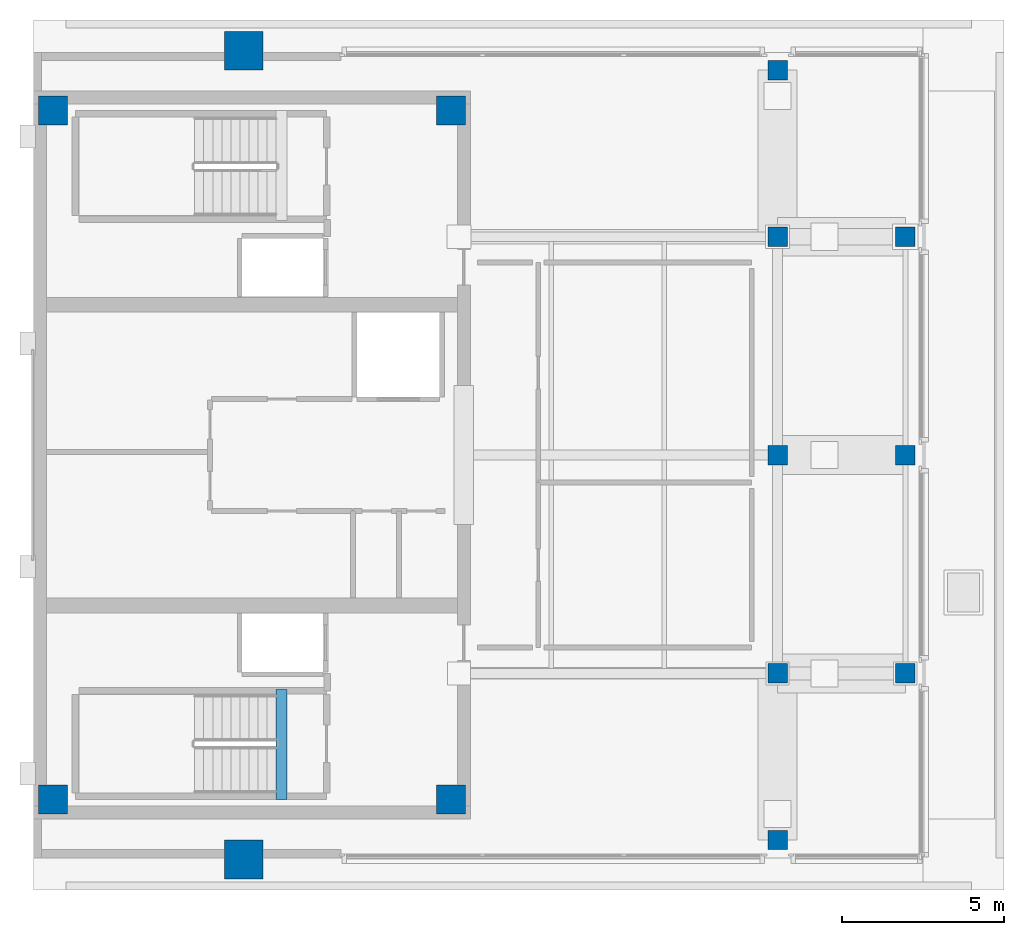
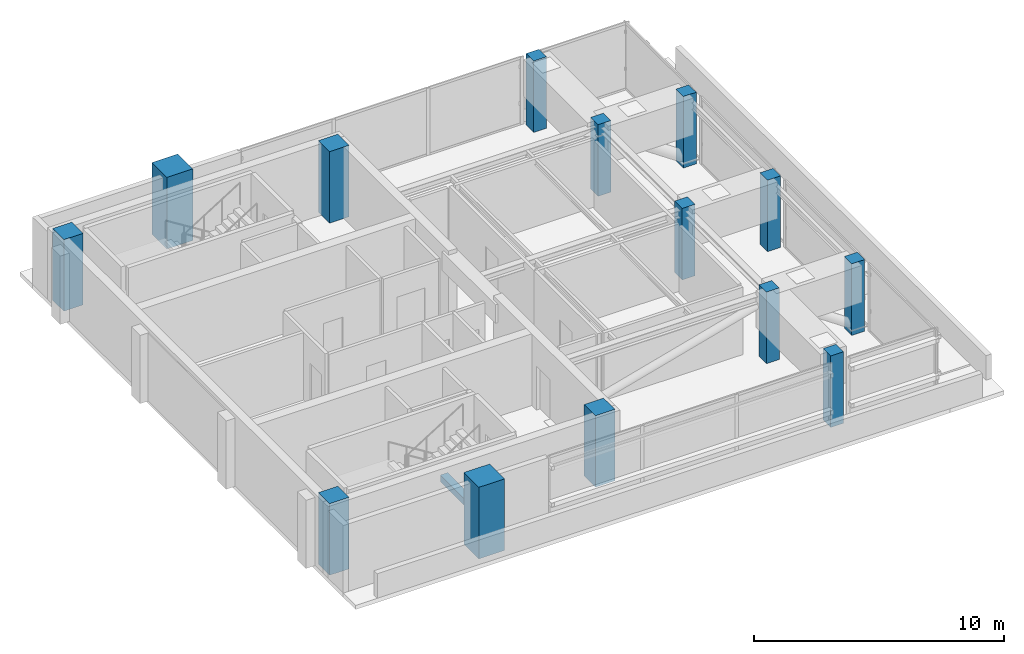
# One storey, part 1 of 9: 14 columns, 1 beam.
"""IFC4 building model written with IfcOpenShell, lengths in metres."""

from ifc_helpers import new_model, si_unit, direction, frame, origin, origin_2d, place, context, subcontext, project, spatial, rectangle, extrude, material, material_profile, profile_set, type_object, element, save


model = new_model("IFC4")

# Units and contexts
model_context = context("Model", 3, precision=1e-05, world=origin(), true_north=direction((0.0, 1.0)))
body_context = subcontext(model_context, "Body", "Model", "MODEL_VIEW")
ifc_project = project(units=[si_unit("LENGTHUNIT", "METRE"), si_unit("AREAUNIT", "SQUARE_METRE"), si_unit("VOLUMEUNIT", "CUBIC_METRE"), si_unit("PLANEANGLEUNIT", "RADIAN"), si_unit("MASSUNIT", "GRAM", prefix="KILO")], contexts=[model_context])

# Site, building, storey
site_placement = place(None, origin())
site = spatial("IfcSite", under=ifc_project, at=site_placement, CompositionType="ELEMENT")
building_placement = place(site_placement, origin())
building = spatial("IfcBuilding", under=site, at=building_placement, Name="Kinhvarn Gate Tower", CompositionType="ELEMENT")
storey_placement = place(building_placement, frame((0.0, 0.0, 318.050048828125)))
storey = spatial("IfcBuildingStorey", under=building, at=storey_placement, Name="L84", CompositionType="ELEMENT", Elevation=318.050048828125)

# Columns
ifc_material_1 = material(Name="Concrete C60/75", Category="concrete")
ifc_material_profile_1 = material_profile(ifc_material_1, rectangle(XDim=1.199951171875, YDim=1.199951171875, at=origin_2d()), Name="RC 1200x1200")
ifc_profile_set_1 = profile_set([ifc_material_profile_1], Name="Concrete C60/75")
column_type_1 = type_object("IfcColumnType", Name="COL-RC-1200", PredefinedType="COLUMN", material=ifc_profile_set_1)
for number, where, z_axis, x_axis, name in (
    (1, (11.0, 12.75, 0.0), (0.0, 0.0, 1.0), (1.0, 0.0, 0.0), "Column MC1-L84 (C-120)"),
    (2, (11.0, 37.75, 0.0), (0.0, 0.0, 1.0), (1.0, 0.0, 0.0), "Column MC4-L84 (C-120)"),
):
    element("IfcColumn", number, at=place(storey_placement, frame(where, z_axis=z_axis, x_axis=x_axis)), inside=storey, type_object=column_type_1, Name=name, PredefinedType="COLUMN", context=body_context, shape_type="SweptSolid", body=[
        extrude(rectangle(XDim=1.199951171875, YDim=1.199951171875, at=origin_2d()), origin(), (0.0, 0.0, 1.0), 3.5),
    ])
ifc_material_2 = material(Name="Concrete C50/60", Category="concrete")
ifc_material_profile_2 = material_profile(ifc_material_2, rectangle(XDim=0.60009765625, YDim=0.60009765625, at=origin_2d()), Name="RC 600x600")
ifc_profile_set_2 = profile_set([ifc_material_profile_2], Name="Concrete C50/60")
column_type_2 = type_object("IfcColumnType", Name="COL-RC-600", PredefinedType="COLUMN", material=ifc_profile_set_2)
for number, where, z_axis, x_axis, name in (
    (3, (31.449951171875, 18.5, 0.0), (0.0, 0.0, 1.0), (1.0, 0.0, 0.0), "Column CCR-E1-L84 (C-060)"),
    (4, (27.5, 18.5, 0.0), (0.0, 0.0, 1.0), (1.0, 0.0, 0.0), "Column CRANC-1-L84 (C-060)"),
    (5, (31.449951171875, 25.25, 0.0), (0.0, 0.0, 1.0), (1.0, 0.0, 0.0), "Column CCR-E2-L84 (C-060)"),
    (6, (27.5, 25.25, 0.0), (0.0, 0.0, 1.0), (1.0, 0.0, 0.0), "Column CRANC-2-L84 (C-060)"),
    (7, (31.449951171875, 32.0, 0.0), (0.0, 0.0, 1.0), (1.0, 0.0, 0.0), "Column CCR-E3-L84 (C-060)"),
    (8, (27.5, 32.0, 0.0), (0.0, 0.0, 1.0), (1.0, 0.0, 0.0), "Column CRANC-3-L84 (C-060)"),
    (9, (27.5, 13.35009765625, 0.0), (0.0, 0.0, 1.0), (1.0, 0.0, 0.0), "Column CCR-S1-L84 (C-060)"),
    (10, (27.5, 37.14990234375, 0.0), (0.0, 0.0, 1.0), (1.0, 0.0, 0.0), "Column CCR-N1-L84 (C-060)"),
):
    element("IfcColumn", number, at=place(storey_placement, frame(where, z_axis=z_axis, x_axis=x_axis)), inside=storey, type_object=column_type_2, Name=name, PredefinedType="COLUMN", context=body_context, shape_type="SweptSolid", body=[
        extrude(rectangle(XDim=0.60009765625, YDim=0.60009765625, at=origin_2d()), origin(), (0.0, 0.0, 1.0), 3.5),
    ])
ifc_material_profile_3 = material_profile(ifc_material_2, rectangle(XDim=0.89990234375, YDim=0.89990234375, at=origin_2d()), Name="RC 900x900")
ifc_profile_set_3 = profile_set([ifc_material_profile_3], Name="Concrete C50/60")
column_type_3 = type_object("IfcColumnType", Name="PIL-RC-900", PredefinedType="PILASTER", material=ifc_profile_set_3)
for number, where, z_axis, x_axis, name in (
    (11, (5.10009765625, 14.60009765625, 0.0), (0.0, 0.0, 1.0), (1.0, 0.0, 0.0), "Column CC-SW-L84 (CP-090)"),
    (12, (5.10009765625, 35.89990234375, 0.0), (0.0, 0.0, 1.0), (1.0, 0.0, 0.0), "Column CC-NW-L84 (CP-090)"),
    (13, (17.39990234375, 14.60009765625, 0.0), (0.0, 0.0, 1.0), (1.0, 0.0, 0.0), "Column CC-SE-L84 (CP-090)"),
    (14, (17.39990234375, 35.89990234375, 0.0), (0.0, 0.0, 1.0), (1.0, 0.0, 0.0), "Column CC-NE-L84 (CP-090)"),
):
    element("IfcColumn", number, at=place(storey_placement, frame(where, z_axis=z_axis, x_axis=x_axis)), inside=storey, type_object=column_type_3, Name=name, PredefinedType="PILASTER", context=body_context, shape_type="SweptSolid", body=[
        extrude(rectangle(XDim=0.89990234375, YDim=0.89990234375, at=origin_2d()), origin(), (0.0, 0.0, 1.0), 3.5),
    ])

# Beam
ifc_material_profile_4 = material_profile(ifc_material_2, rectangle(XDim=0.340087890625, YDim=0.320068359375, at=origin_2d()), Name="RC 340x320")
ifc_profile_set_4 = profile_set([ifc_material_profile_4], Name="Concrete C50/60")
beam_type = type_object("IfcBeamType", Name="BM-LND-500", PredefinedType="BEAM", material=ifc_profile_set_4)
beam_placement = place(storey_placement, frame((12.1650390625, 14.60009765625, -0.16015625), z_axis=(0.0, 1.0, 0.0), x_axis=(-1.0, 0.0, 0.0)))
element("IfcBeam", 15, at=beam_placement, inside=storey, type_object=beam_type, Name="Stair ST1 Landing Nosing Beam (L84)", PredefinedType="BEAM", context=body_context, shape_type="SweptSolid", body=[
    extrude(rectangle(XDim=0.340087890625, YDim=0.320068359375, at=origin_2d()), origin(), (0.0, 0.0, 1.0), 3.39990234375),
])

save(model, "model.ifc")
